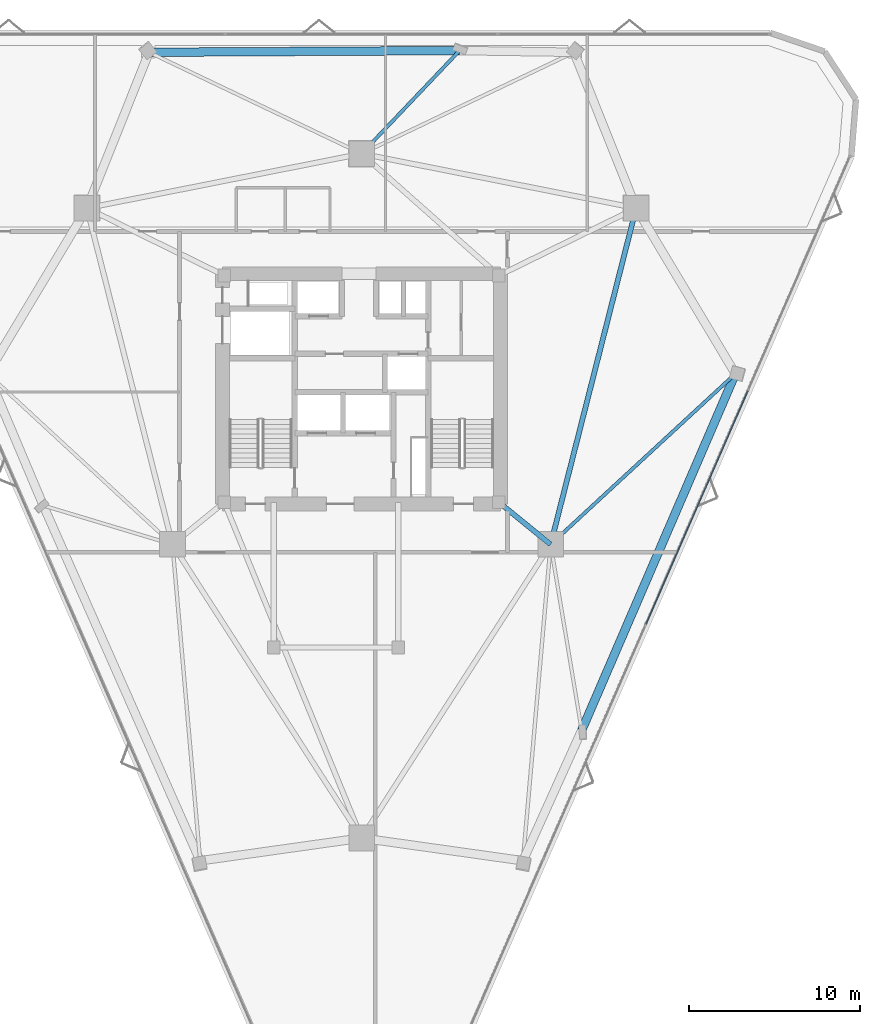
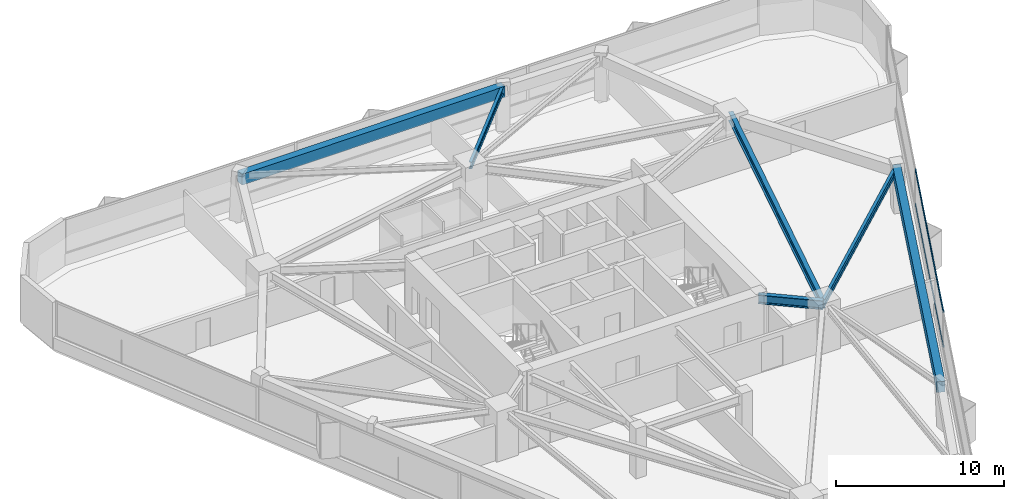
# One storey, part 6 of 16: 6 beams, 2 members, 1 element without a shape of its own.
"""IFC4 building model written with IfcOpenShell, lengths in metres."""

from ifc_helpers import new_model, si_unit, direction, frame, origin, origin_2d, place, context, subcontext, project, spatial, rectangle, i_section, extrude, material, layer, layer_set, material_profile, profile_set, type_object, element, aggregate, save


model = new_model("IFC4")

# Units and contexts
model_context = context("Model", 3, precision=1e-05, world=origin(), true_north=direction((0.0, 1.0)))
body_context = subcontext(model_context, "Body", "Model", "MODEL_VIEW")
ifc_project = project(units=[si_unit("LENGTHUNIT", "METRE"), si_unit("AREAUNIT", "SQUARE_METRE"), si_unit("VOLUMEUNIT", "CUBIC_METRE"), si_unit("PLANEANGLEUNIT", "RADIAN"), si_unit("MASSUNIT", "GRAM", prefix="KILO")], contexts=[model_context])

# Site, building, storey
site_placement = place(None, origin())
site = spatial("IfcSite", under=ifc_project, at=site_placement, CompositionType="ELEMENT")
building_placement = place(site_placement, origin())
building = spatial("IfcBuilding", under=site, at=building_placement, Name="Talyreon Biosciences Tower", CompositionType="ELEMENT")
storey_placement = place(building_placement, frame((0.0, 0.0, 134.5)))
storey = spatial("IfcBuildingStorey", under=building, at=storey_placement, Name="L35", CompositionType="ELEMENT", Elevation=134.5)

# Curtain wall, members
ifc_material_1 = material(Name="Thermally broken aluminium and low-E glazing", Category="aluminium")
ifc_layer = layer(ifc_material_1, 0.18505859375)
ifc_layer_set = layer_set([ifc_layer], Name="Thermally broken aluminium and low-E glazing")
curtain_wall_type = type_object("IfcCurtainWallType", Name="CurtainWall_Zone3Bioprocess", PredefinedType="NOTDEFINED", material=ifc_layer_set)
curtain_wall_placement = place(storey_placement, origin())
curtain_wall = element("IfcCurtainWall", 1, at=curtain_wall_placement, inside=storey, type_object=curtain_wall_type, Name="L35 Unitised Curtain Wall FCW-L35-08", PredefinedType="NOTDEFINED")
ifc_material_2 = material(Name="Anodised thermally broken aluminium", Category="aluminium")
ifc_material_profile_1 = material_profile(ifc_material_2, rectangle(XDim=0.06494140625, YDim=0.139892578125, at=origin_2d()), Name="ALUM TRANSOM 65x140")
ifc_profile_set_1 = profile_set([ifc_material_profile_1], Name="Anodised thermally broken aluminium")
member_type = type_object("IfcMemberType", Name="CWTransom_65x140", PredefinedType="USERDEFINED", material=ifc_profile_set_1)
member_1_placement = place(storey_placement, frame((88.648193359375, 67.880615234375, 0.842529296875), z_axis=(-0.399893696756, -0.916561526192, 0.0), x_axis=(0.916561526192, -0.399893696756, 0.0)))
member_1 = element("IfcMember", 2, at=member_1_placement, type_object=member_type, Name="CW4 transom 2.1", ObjectType="TRANSOM", PredefinedType="USERDEFINED", context=body_context, shape_type="SweptSolid", body=[
    extrude(rectangle(XDim=0.06494140625, YDim=0.139892578125, at=origin_2d()), origin(), (0.0, 0.0, 1.0), 14.9130859375),
])
member_2_placement = place(storey_placement, frame((88.648193359375, 67.880615234375, 3.342529296875), z_axis=(-0.399893696756, -0.916561526192, 0.0), x_axis=(0.916561526192, -0.399893696756, 0.0)))
member_2 = element("IfcMember", 3, at=member_2_placement, type_object=member_type, Name="CW4 transom 2.2", ObjectType="TRANSOM", PredefinedType="USERDEFINED", context=body_context, shape_type="SweptSolid", body=[
    extrude(rectangle(XDim=0.06494140625, YDim=0.139892578125, at=origin_2d()), origin(), (0.0, 0.0, 1.0), 14.9130859375),
])
aggregate(curtain_wall, [member_1, member_2])

# Beams
ifc_material_3 = material(Name="Precast concrete C45/55", Category="concrete")
ifc_material_profile_2 = material_profile(ifc_material_3, rectangle(XDim=0.5, YDim=0.780029296875, at=origin_2d()), Name="RCB 500x780")
ifc_profile_set_2 = profile_set([ifc_material_profile_2], Name="Precast concrete C45/55")
beam_type_1 = type_object("IfcBeamType", Name="ExpressedSpandrel_500x780", PredefinedType="SPANDREL", material=ifc_profile_set_2)
beam_1_placement = place(storey_placement, frame((78.90771484375, 47.98046875, 2.985107421875), z_axis=(0.395850708625, 0.918314878721, 0.0), x_axis=(-0.918314878721, 0.395850708625, 0.0)))
element("IfcBeam", 4, at=beam_1_placement, inside=storey, type_object=beam_type_1, Name="L35 Expressed Horizontal Concrete Spandrel 03", PredefinedType="SPANDREL", context=body_context, shape_type="SweptSolid", body=[
    extrude(rectangle(XDim=0.5, YDim=0.780029296875, at=origin_2d()), origin(), (0.0, 0.0, 1.0), 22.7666015625),
])
beam_2_placement = place(storey_placement, frame((71.749755859375, 87.836181640625, 2.985107421875), z_axis=(-0.999984888946, -0.00549744304, 0.0), x_axis=(0.00549744304, -0.999984888946, 0.0)))
element("IfcBeam", 5, at=beam_2_placement, inside=storey, type_object=beam_type_1, Name="L35 Expressed Horizontal Concrete Spandrel 07", PredefinedType="SPANDREL", context=body_context, shape_type="SweptSolid", body=[
    extrude(rectangle(XDim=0.5, YDim=0.780029296875, at=origin_2d()), origin(), (0.0, 0.0, 1.0), 18.2080078125),
])
ifc_material_4 = material(Name="Steel SM355", Category="steel")
ifc_material_profile_3 = material_profile(ifc_material_4, i_section(OverallWidth=0.300048828125, OverallDepth=0.64990234375, WebThickness=0.01611328125, FlangeThickness=0.031005859375, FilletRadius=0.027099609375, at=origin_2d()), Name="HE650B")
ifc_profile_set_3 = profile_set([ifc_material_profile_3], Name="Steel SM355")
beam_type_2 = type_object("IfcBeamType", Name="SteelBeam_HE650B", PredefinedType="BEAM", material=ifc_profile_set_3)
beam_3_placement = place(storey_placement, frame((77.086181640625, 58.88037109375, 3.050048828125), z_axis=(0.246537082299, 0.969133358755, 0.0), x_axis=(-0.969133358755, 0.246537082299, 0.0)))
element("IfcBeam", 6, at=beam_3_placement, inside=storey, type_object=beam_type_2, Name="L35 Mega-Ring Girder 2", PredefinedType="BEAM", context=body_context, shape_type="SweptSolid", body=[
    extrude(i_section(OverallWidth=0.300048828125, OverallDepth=0.64990234375, WebThickness=0.01611328125, FlangeThickness=0.031005859375, FilletRadius=0.027099609375, at=origin_2d()), origin(), (0.0, 0.0, 1.0), 20.34619140625),
])
beam_4_placement = place(storey_placement, frame((74.050048828125, 61.35009765625, 3.050048828125), z_axis=(0.775755154013, -0.631034025249, 0.0), x_axis=(0.631034025249, 0.775755154013, 0.0)))
element("IfcBeam", 7, at=beam_4_placement, inside=storey, type_object=beam_type_2, Name="L35 Radial Primary Girder 2", PredefinedType="BEAM", context=body_context, shape_type="SweptSolid", body=[
    extrude(i_section(OverallWidth=0.300048828125, OverallDepth=0.64990234375, WebThickness=0.01611328125, FlangeThickness=0.031005859375, FilletRadius=0.027099609375, at=origin_2d()), origin(), (0.0, 0.0, 1.0), 3.913818359375),
])
ifc_material_profile_4 = material_profile(ifc_material_4, i_section(OverallWidth=0.199951171875, OverallDepth=0.5, WebThickness=0.01025390625, FlangeThickness=0.01611328125, FilletRadius=0.02099609375, at=origin_2d()), Name="IPE500")
ifc_profile_set_4 = profile_set([ifc_material_profile_4], Name="Steel SM355")
beam_type_3 = type_object("IfcBeamType", Name="SteelJoist_IPE500", PredefinedType="JOIST", material=ifc_profile_set_4)
beam_5_placement = place(storey_placement, frame((77.086181640625, 58.88037109375, 3.125), z_axis=(0.734576832808, 0.678525516619, 0.0), x_axis=(-0.678525516619, 0.734576832808, 0.0)))
element("IfcBeam", 8, at=beam_5_placement, inside=storey, type_object=beam_type_3, Name="L35 Radial Composite Floor Joist PC-SE2", PredefinedType="JOIST", context=body_context, shape_type="SweptSolid", body=[
    extrude(i_section(OverallWidth=0.199951171875, OverallDepth=0.5, WebThickness=0.01025390625, FlangeThickness=0.01611328125, FilletRadius=0.02099609375, at=origin_2d()), origin(), (0.0, 0.0, 1.0), 14.748291015625),
])
beam_6_placement = place(storey_placement, frame((66.0, 81.788818359375, 3.125), z_axis=(0.689049285328, 0.724714483358, 0.0), x_axis=(-0.724714483358, 0.689049285328, 0.0)))
element("IfcBeam", 9, at=beam_6_placement, inside=storey, type_object=beam_type_3, Name="L35 Radial Composite Floor Joist PL-N", PredefinedType="JOIST", context=body_context, shape_type="SweptSolid", body=[
    extrude(i_section(OverallWidth=0.199951171875, OverallDepth=0.5, WebThickness=0.01025390625, FlangeThickness=0.01611328125, FilletRadius=0.02099609375, at=origin_2d()), origin(), (0.0, 0.0, 1.0), 8.344482421875),
])

save(model, "model.ifc")
